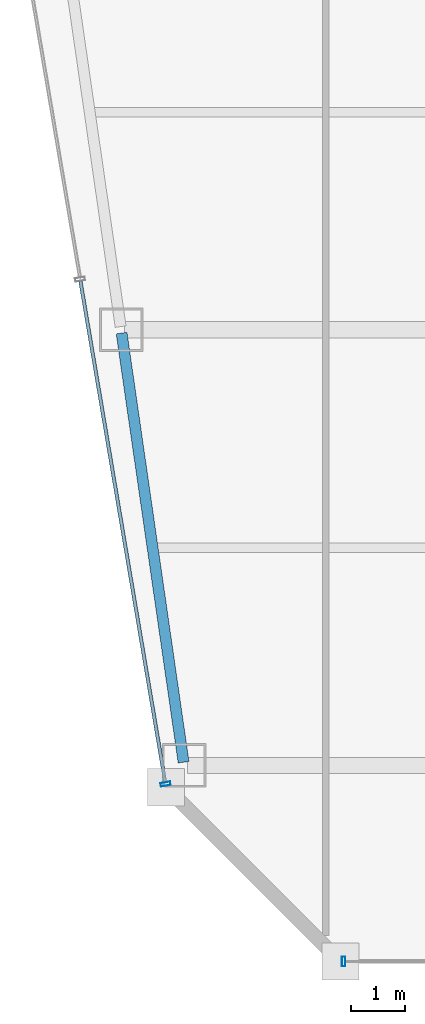
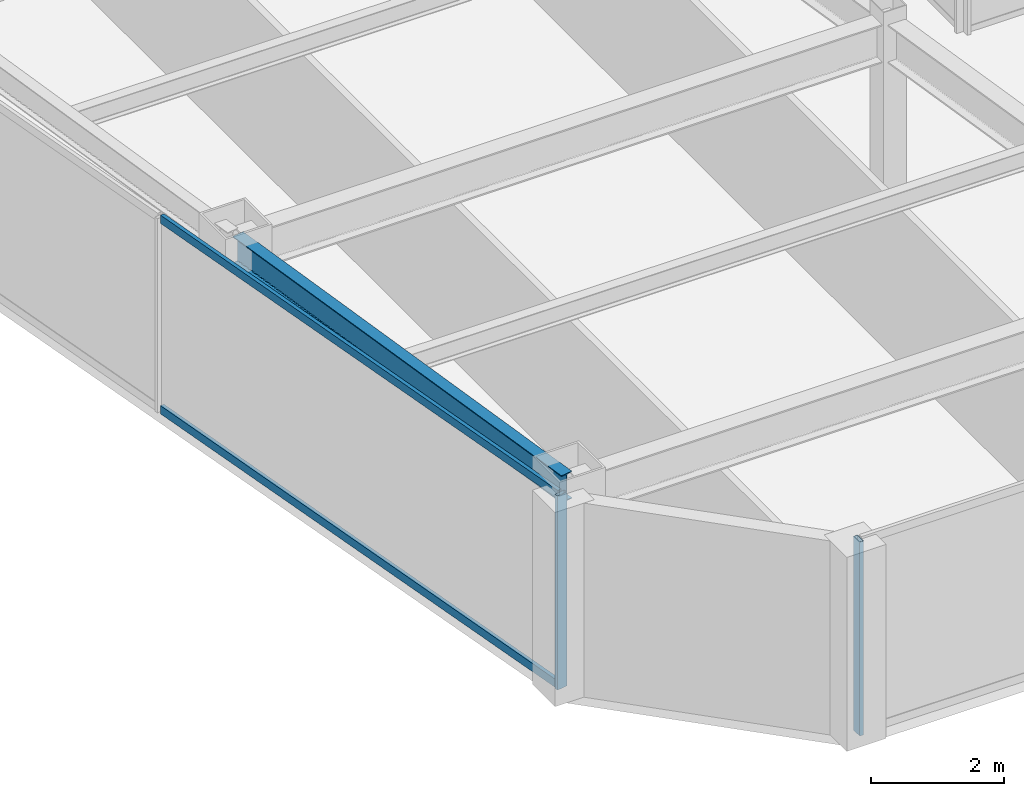
# One storey, part 3 of 36: 4 members, 1 beam, 2 elements without a shape of their own.
"""IFC4 building model written with IfcOpenShell, lengths in metres."""

from ifc_helpers import new_model, si_unit, direction, frame, origin, origin_2d, place, context, subcontext, project, spatial, hollow_rectangle, i_section, extrude, material, material_profile, profile_set, type_object, element, aggregate, save


model = new_model("IFC4")

# Units and contexts
model_context = context("Model", 3, precision=1e-05, world=origin(), true_north=direction((0.0, 1.0)))
body_context = subcontext(model_context, "Body", "Model", "MODEL_VIEW")
ifc_project = project(units=[si_unit("LENGTHUNIT", "METRE"), si_unit("AREAUNIT", "SQUARE_METRE"), si_unit("VOLUMEUNIT", "CUBIC_METRE"), si_unit("PLANEANGLEUNIT", "RADIAN"), si_unit("MASSUNIT", "GRAM", prefix="KILO")], contexts=[model_context])

# Site, building, storey
site_placement = place(None, origin())
site = spatial("IfcSite", under=ifc_project, at=site_placement, CompositionType="ELEMENT")
building_placement = place(site_placement, origin())
building = spatial("IfcBuilding", under=site, at=building_placement, Name="Saevonmaru Cultural Tower", CompositionType="ELEMENT")
storey_placement = place(building_placement, frame((0.0, 0.0, 182.800048828125)))
storey = spatial("IfcBuildingStorey", under=building, at=storey_placement, Name="L41", CompositionType="ELEMENT", Elevation=182.800048828125)

# Beam
ifc_material_1 = material(Name="Steel SM355", Category="steel")
ifc_material_profile_1 = material_profile(ifc_material_1, i_section(OverallWidth=0.199951171875, OverallDepth=0.5, WebThickness=0.010009765625, FlangeThickness=0.01611328125, FilletRadius=0.02001953125, at=origin_2d()), Name="H-500x200x10x16")
ifc_profile_set_1 = profile_set([ifc_material_profile_1], Name="Steel SM355")
beam_type = type_object("IfcBeamType", Name="BM-SP-H500", PredefinedType="SPANDREL", material=ifc_profile_set_1)
beam_placement = place(storey_placement, frame((10.619384765625, 16.059326171875, 3.300048828125), z_axis=(-0.142992129437, 0.989723825579, 0.0), x_axis=(-0.989723825579, -0.142992129437, 0.0)))
element("IfcBeam", 1, at=beam_placement, inside=storey, type_object=beam_type, Name="L41 West Splayed Spandrel 1", PredefinedType="SPANDREL", context=body_context, shape_type="SweptSolid", body=[
    extrude(i_section(OverallWidth=0.199951171875, OverallDepth=0.5, WebThickness=0.010009765625, FlangeThickness=0.01611328125, FilletRadius=0.02001953125, at=origin_2d()), origin(), (0.0, 0.0, 1.0), 7.963134765625),
])

# Curtain wall, member
ifc_material_2 = material(Name="Satin Bronze Anodised Aluminium", Category="aluminium")
curtain_wall_type = type_object("IfcCurtainWallType", Name="CW-TYP-B", PredefinedType="NOTDEFINED", material=ifc_material_2)
curtain_wall_1_placement = place(storey_placement, origin())
curtain_wall_1 = element("IfcCurtainWall", 2, at=curtain_wall_1_placement, inside=storey, type_object=curtain_wall_type, Name="L41 Unitised Curtain Wall E2", PredefinedType="NOTDEFINED")
ifc_material_profile_2 = material_profile(ifc_material_2, hollow_rectangle(XDim=0.06494140625, YDim=0.179931640625, WallThickness=0.00390625, at=origin_2d()), Name="ALU-MULL-180x65x4")
ifc_profile_set_2 = profile_set([ifc_material_profile_2], Name="Satin Bronze Anodised Aluminium")
member_type_1 = type_object("IfcMemberType", Name="ML-CW-180x65", PredefinedType="MULLION", material=ifc_profile_set_2)
member_1_placement = place(storey_placement, frame((13.557861328125, 12.39990234375, 0.0), z_axis=(0.0, 0.0, 1.0), x_axis=(1.0, 0.0, 0.0)))
member_1 = element("IfcMember", 3, at=member_1_placement, type_object=member_type_1, Name="CW-TW-L41-E2 mullion 1", PredefinedType="MULLION", context=body_context, shape_type="SweptSolid", body=[
    extrude(hollow_rectangle(XDim=0.06494140625, YDim=0.179931640625, WallThickness=0.00390625, at=origin_2d()), origin(), (0.0, 0.0, 1.0), 3.550048828125),
])
aggregate(curtain_wall_1, [member_1])

# Curtain wall, members
curtain_wall_2_placement = place(storey_placement, origin())
curtain_wall_2 = element("IfcCurtainWall", 4, at=curtain_wall_2_placement, inside=storey, type_object=curtain_wall_type, Name="L41 Unitised Curtain Wall E12", PredefinedType="NOTDEFINED")
member_2_placement = place(storey_placement, frame((10.287841796875, 15.6591796875, 0.0), z_axis=(0.0, 0.0, 1.0), x_axis=(0.16692169721, -0.985970155228, 0.0)))
member_2 = element("IfcMember", 5, at=member_2_placement, type_object=member_type_1, Name="CW-TW-L41-E12 mullion 5", PredefinedType="MULLION", context=body_context, shape_type="SweptSolid", body=[
    extrude(hollow_rectangle(XDim=0.06494140625, YDim=0.179931640625, WallThickness=0.00390625, at=origin_2d()), origin(), (0.0, 0.0, 1.0), 3.550048828125),
])
ifc_material_profile_3 = material_profile(ifc_material_2, hollow_rectangle(XDim=0.06494140625, YDim=0.14990234375, WallThickness=0.00390625, at=origin_2d()), Name="ALU-TRAN-150x65x4")
ifc_profile_set_3 = profile_set([ifc_material_profile_3], Name="Satin Bronze Anodised Aluminium")
member_type_2 = type_object("IfcMemberType", Name="TR-CW-150x65", PredefinedType="USERDEFINED", material=ifc_profile_set_3)
member_3_placement = place(storey_placement, frame((8.723876953125, 24.8974609375, 0.032470703125), z_axis=(0.166921263871, -0.985970228591, 0.0), x_axis=(0.985970228591, 0.166921263871, 0.0)))
member_3 = element("IfcMember", 6, at=member_3_placement, type_object=member_type_2, Name="CW-TW-L41-E12 transom 4.1", ObjectType="TRANSOM", PredefinedType="USERDEFINED", context=body_context, shape_type="SweptSolid", body=[
    extrude(hollow_rectangle(XDim=0.06494140625, YDim=0.14990234375, WallThickness=0.00390625, at=origin_2d()), origin(), (0.0, 0.0, 1.0), 9.33740234375),
])
member_4_placement = place(storey_placement, frame((8.723876953125, 24.8974609375, 3.517333984375), z_axis=(0.166921263871, -0.985970228591, 0.0), x_axis=(0.985970228591, 0.166921263871, 0.0)))
member_4 = element("IfcMember", 7, at=member_4_placement, type_object=member_type_2, Name="CW-TW-L41-E12 transom 4.2", ObjectType="TRANSOM", PredefinedType="USERDEFINED", context=body_context, shape_type="SweptSolid", body=[
    extrude(hollow_rectangle(XDim=0.06494140625, YDim=0.14990234375, WallThickness=0.00390625, at=origin_2d()), origin(), (0.0, 0.0, 1.0), 9.33740234375),
])
aggregate(curtain_wall_2, [member_2, member_3, member_4])

save(model, "model.ifc")
